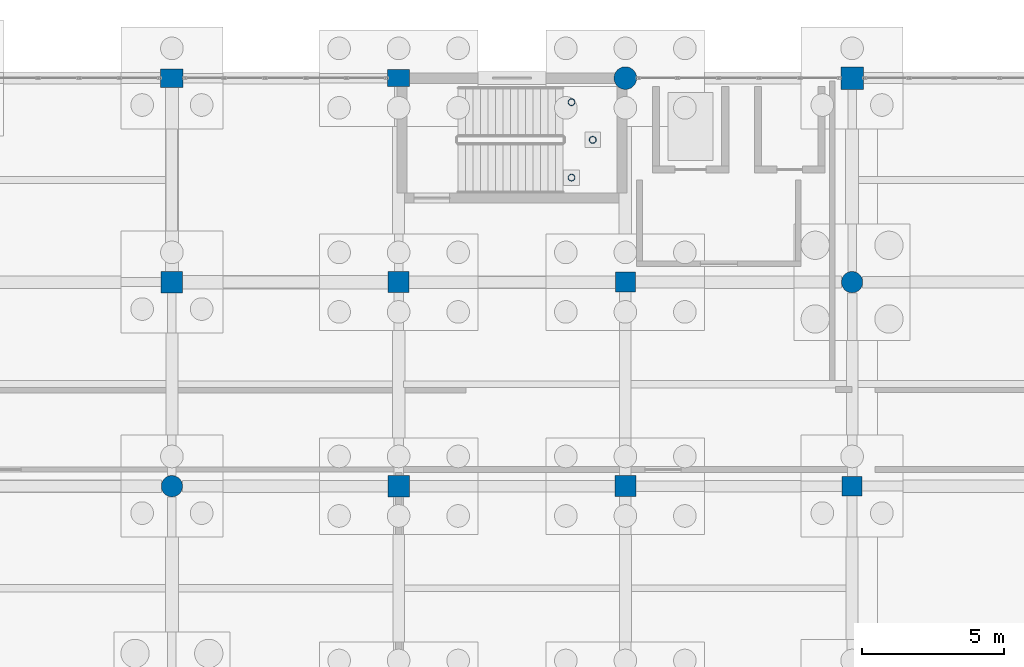
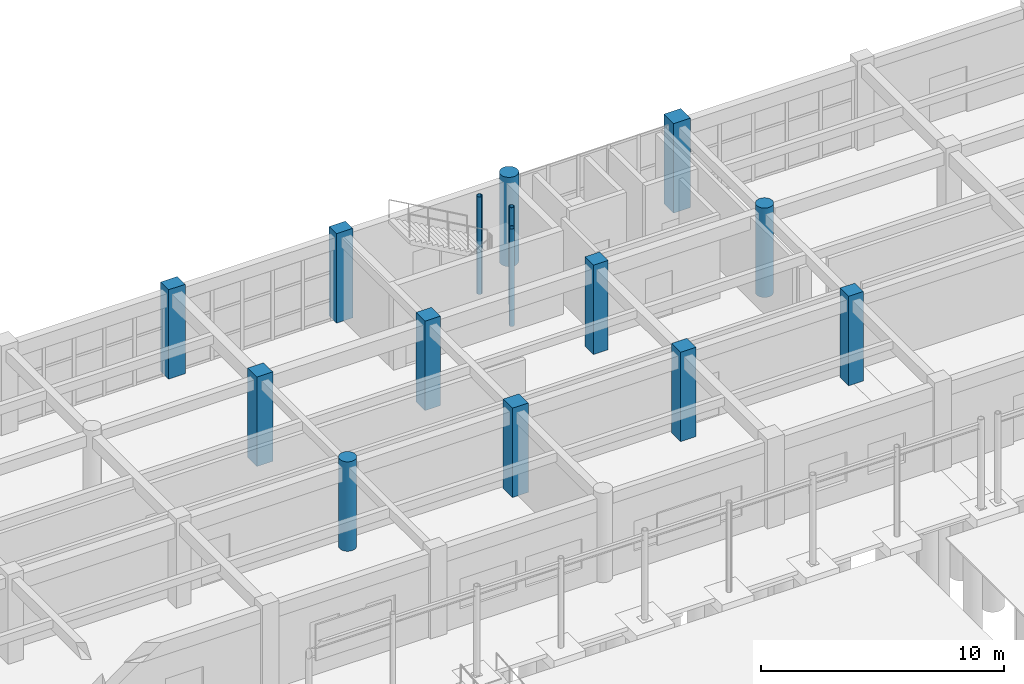
# One storey, part 38 of 166: 15 columns.
"""IFC4 building model written with IfcOpenShell, lengths in metres."""

from ifc_helpers import new_model, si_unit, direction, frame, origin, origin_2d, place, context, subcontext, project, spatial, rectangle, circle, hollow_circle, extrude, material, material_profile, profile_set, type_object, element, save


model = new_model("IFC4")

# Units and contexts
model_context = context("Model", 3, precision=1e-05, world=origin(), true_north=direction((0.0, 1.0)))
body_context = subcontext(model_context, "Body", "Model", "MODEL_VIEW")
ifc_project = project(units=[si_unit("LENGTHUNIT", "METRE"), si_unit("AREAUNIT", "SQUARE_METRE"), si_unit("VOLUMEUNIT", "CUBIC_METRE"), si_unit("PLANEANGLEUNIT", "RADIAN"), si_unit("MASSUNIT", "GRAM", prefix="KILO")], contexts=[model_context])

# Site, building, storey
site_placement = place(None, origin())
site = spatial("IfcSite", under=ifc_project, at=site_placement, CompositionType="ELEMENT")
building_placement = place(site_placement, origin())
building = spatial("IfcBuilding", under=site, at=building_placement, Name="Kharva Crest Polytechnic", CompositionType="ELEMENT")
storey_placement = place(building_placement, origin())
storey = spatial("IfcBuildingStorey", under=building, at=storey_placement, Name="L00", CompositionType="ELEMENT", Elevation=0.0)

# Columns
ifc_material_1 = material(Name="Concrete C40/50", Category="concrete")
ifc_material_profile_1 = material_profile(ifc_material_1, rectangle(XDim=0.780029296875, YDim=0.60009765625, at=origin_2d()), Name="RECT 780 X 600")
ifc_profile_set_1 = profile_set([ifc_material_profile_1], Name="Concrete C40/50")
column_type_1 = type_object("IfcColumnType", Name="COL-EXT-780X600", PredefinedType="COLUMN", material=ifc_profile_set_1)
column_1_placement = place(storey_placement, frame((104.0, 122.0, 0.0), z_axis=(0.0, 0.0, 1.0), x_axis=(1.0, 0.0, 0.0)))
element("IfcColumn", 1, at=column_1_placement, inside=storey, type_object=column_type_1, Name="L00 Column 14/S", PredefinedType="COLUMN", context=body_context, shape_type="SweptSolid", body=[
    extrude(rectangle(XDim=0.780029296875, YDim=0.60009765625, at=origin_2d()), origin(), (0.0, 0.0, 1.0), 4.5),
])
ifc_material_profile_2 = material_profile(ifc_material_1, rectangle(XDim=0.800048828125, YDim=0.64990234375, at=origin_2d()), Name="RECT 800 X 650")
ifc_profile_set_2 = profile_set([ifc_material_profile_2], Name="Concrete C40/50")
column_type_2 = type_object("IfcColumnType", Name="COL-EXT-800X650", PredefinedType="COLUMN", material=ifc_profile_set_2)
column_2_placement = place(storey_placement, frame((96.0, 122.0, 0.0), z_axis=(0.0, 0.0, 1.0), x_axis=(1.0, 0.0, 0.0)))
element("IfcColumn", 2, at=column_2_placement, inside=storey, type_object=column_type_2, Name="L00 Column 13/S", PredefinedType="COLUMN", context=body_context, shape_type="SweptSolid", body=[
    extrude(rectangle(XDim=0.800048828125, YDim=0.64990234375, at=origin_2d()), origin(), (0.0, 0.0, 1.0), 4.5),
])
ifc_material_profile_3 = material_profile(ifc_material_1, rectangle(XDim=0.800048828125, YDim=0.800048828125, at=origin_2d()), Name="RECT 800 X 800")
ifc_profile_set_3 = profile_set([ifc_material_profile_3], Name="Concrete C40/50")
column_type_3 = type_object("IfcColumnType", Name="COL-EXT-800X800", PredefinedType="COLUMN", material=ifc_profile_set_3)
column_3_placement = place(storey_placement, frame((120.0, 122.0, 0.0), z_axis=(0.0, 0.0, 1.0), x_axis=(1.0, 0.0, 0.0)))
element("IfcColumn", 3, at=column_3_placement, inside=storey, type_object=column_type_3, Name="L00 Column 16/S", PredefinedType="COLUMN", context=body_context, shape_type="SweptSolid", body=[
    extrude(rectangle(XDim=0.800048828125, YDim=0.800048828125, at=origin_2d()), origin(), (0.0, 0.0, 1.0), 4.5),
])
ifc_material_profile_4 = material_profile(ifc_material_1, circle(Radius=0.39990234375, at=origin_2d()), Name="DIA 800")
ifc_profile_set_4 = profile_set([ifc_material_profile_4], Name="Concrete C40/50")
column_type_4 = type_object("IfcColumnType", Name="COL-EXT-DIA800", PredefinedType="COLUMN", material=ifc_profile_set_4)
column_4_placement = place(storey_placement, frame((112.0, 122.0, 0.0), z_axis=(0.0, 0.0, 1.0), x_axis=(1.0, 0.0, 0.0)))
element("IfcColumn", 4, at=column_4_placement, inside=storey, type_object=column_type_4, Name="L00 Column 15/S", PredefinedType="COLUMN", context=body_context, shape_type="SweptSolid", body=[
    extrude(circle(Radius=0.39990234375, at=origin_2d()), origin(), (0.0, 0.0, 1.0), 4.5),
])
ifc_material_profile_5 = material_profile(ifc_material_1, rectangle(XDim=0.699951171875, YDim=0.699951171875, at=origin_2d()), Name="RECT 700 X 700")
ifc_profile_set_5 = profile_set([ifc_material_profile_5], Name="Concrete C40/50")
column_type_5 = type_object("IfcColumnType", Name="COL-INT-700X700", PredefinedType="COLUMN", material=ifc_profile_set_5)
for number, where, z_axis, x_axis, name in (
    (5, (112.0, 114.800048828125, 0.0), (0.0, 0.0, 1.0), (1.0, 0.0, 0.0), "L00 Column 15/R"),
    (6, (120.0, 107.60009765625, 0.0), (0.0, 0.0, 1.0), (1.0, 0.0, 0.0), "L00 Column 16/Q"),
):
    element("IfcColumn", number, at=place(storey_placement, frame(where, z_axis=z_axis, x_axis=x_axis)), inside=storey, type_object=column_type_5, Name=name, PredefinedType="COLUMN", context=body_context, shape_type="SweptSolid", body=[
        extrude(rectangle(XDim=0.699951171875, YDim=0.699951171875, at=origin_2d()), origin(), (0.0, 0.0, 1.0), 4.5),
    ])
ifc_material_profile_6 = material_profile(ifc_material_1, rectangle(XDim=0.739990234375, YDim=0.739990234375, at=origin_2d()), Name="RECT 740 X 740")
ifc_profile_set_6 = profile_set([ifc_material_profile_6], Name="Concrete C40/50")
column_type_6 = type_object("IfcColumnType", Name="COL-INT-740X740", PredefinedType="COLUMN", material=ifc_profile_set_6)
for number, where, z_axis, x_axis, name in (
    (7, (104.0, 114.800048828125, 0.0), (0.0, 0.0, 1.0), (1.0, 0.0, 0.0), "L00 Column 14/R"),
    (8, (112.0, 107.60009765625, 0.0), (0.0, 0.0, 1.0), (1.0, 0.0, 0.0), "L00 Column 15/Q"),
):
    element("IfcColumn", number, at=place(storey_placement, frame(where, z_axis=z_axis, x_axis=x_axis)), inside=storey, type_object=column_type_6, Name=name, PredefinedType="COLUMN", context=body_context, shape_type="SweptSolid", body=[
        extrude(rectangle(XDim=0.739990234375, YDim=0.739990234375, at=origin_2d()), origin(), (0.0, 0.0, 1.0), 4.5),
    ])
ifc_material_profile_7 = material_profile(ifc_material_1, rectangle(XDim=0.760009765625, YDim=0.760009765625, at=origin_2d()), Name="RECT 760 X 760")
ifc_profile_set_7 = profile_set([ifc_material_profile_7], Name="Concrete C40/50")
column_type_7 = type_object("IfcColumnType", Name="COL-INT-760X760", PredefinedType="COLUMN", material=ifc_profile_set_7)
for number, where, z_axis, x_axis, name in (
    (9, (96.0, 114.800048828125, 0.0), (0.0, 0.0, 1.0), (1.0, 0.0, 0.0), "L00 Column 13/R"),
    (10, (104.0, 107.60009765625, 0.0), (0.0, 0.0, 1.0), (1.0, 0.0, 0.0), "L00 Column 14/Q"),
):
    element("IfcColumn", number, at=place(storey_placement, frame(where, z_axis=z_axis, x_axis=x_axis)), inside=storey, type_object=column_type_7, Name=name, PredefinedType="COLUMN", context=body_context, shape_type="SweptSolid", body=[
        extrude(rectangle(XDim=0.760009765625, YDim=0.760009765625, at=origin_2d()), origin(), (0.0, 0.0, 1.0), 4.5),
    ])
ifc_material_profile_8 = material_profile(ifc_material_1, circle(Radius=0.375, at=origin_2d()), Name="DIA 750")
ifc_profile_set_8 = profile_set([ifc_material_profile_8], Name="Concrete C40/50")
column_type_8 = type_object("IfcColumnType", Name="COL-INT-DIA750", PredefinedType="COLUMN", material=ifc_profile_set_8)
for number, where, z_axis, x_axis, name in (
    (11, (96.0, 107.60009765625, 0.0), (0.0, 0.0, 1.0), (1.0, 0.0, 0.0), "L00 Column 13/Q"),
    (12, (120.0, 114.800048828125, 0.0), (0.0, 0.0, 1.0), (1.0, 0.0, 0.0), "L00 Column 16/R"),
):
    element("IfcColumn", number, at=place(storey_placement, frame(where, z_axis=z_axis, x_axis=x_axis)), inside=storey, type_object=column_type_8, Name=name, PredefinedType="COLUMN", context=body_context, shape_type="SweptSolid", body=[
        extrude(circle(Radius=0.375, at=origin_2d()), origin(), (0.0, 0.0, 1.0), 4.5),
    ])
ifc_material_2 = material(Name="Steel S355", Category="steel")
ifc_material_profile_9 = material_profile(ifc_material_2, hollow_circle(Radius=0.122314453125, WallThickness=0.010009765625, at=origin_2d()), Name="CHS 244.5X10.0")
ifc_profile_set_9 = profile_set([ifc_material_profile_9], Name="Steel S355")
column_type_9 = type_object("IfcColumnType", Name="COL-STL-CHS244", PredefinedType="COLUMN", material=ifc_profile_set_9)
for number, where, z_axis, x_axis, name in (
    (13, (110.10009765625, 118.489990234375, -0.405029296875), (0.0, 0.0, 1.0), (1.0, 0.0, 0.0), "L00 Stair ST-04 Landing Support Column SW"),
    (14, (110.10009765625, 121.14990234375, -0.405029296875), (0.0, 0.0, 1.0), (1.0, 0.0, 0.0), "L00 Stair ST-04 Landing Support Column NW"),
    (15, (110.85009765625, 119.820068359375, -0.405029296875), (0.0, 0.0, 1.0), (1.0, 0.0, 0.0), "L00 Stair ST-04 Landing Support Column EM"),
):
    element("IfcColumn", number, at=place(storey_placement, frame(where, z_axis=z_axis, x_axis=x_axis)), inside=storey, type_object=column_type_9, Name=name, PredefinedType="COLUMN", context=body_context, shape_type="SweptSolid", body=[
        extrude(hollow_circle(Radius=0.122314453125, WallThickness=0.010009765625, at=origin_2d()), origin(), (0.0, 0.0, 1.0), 4.905029296875),
    ])

save(model, "model.ifc")
